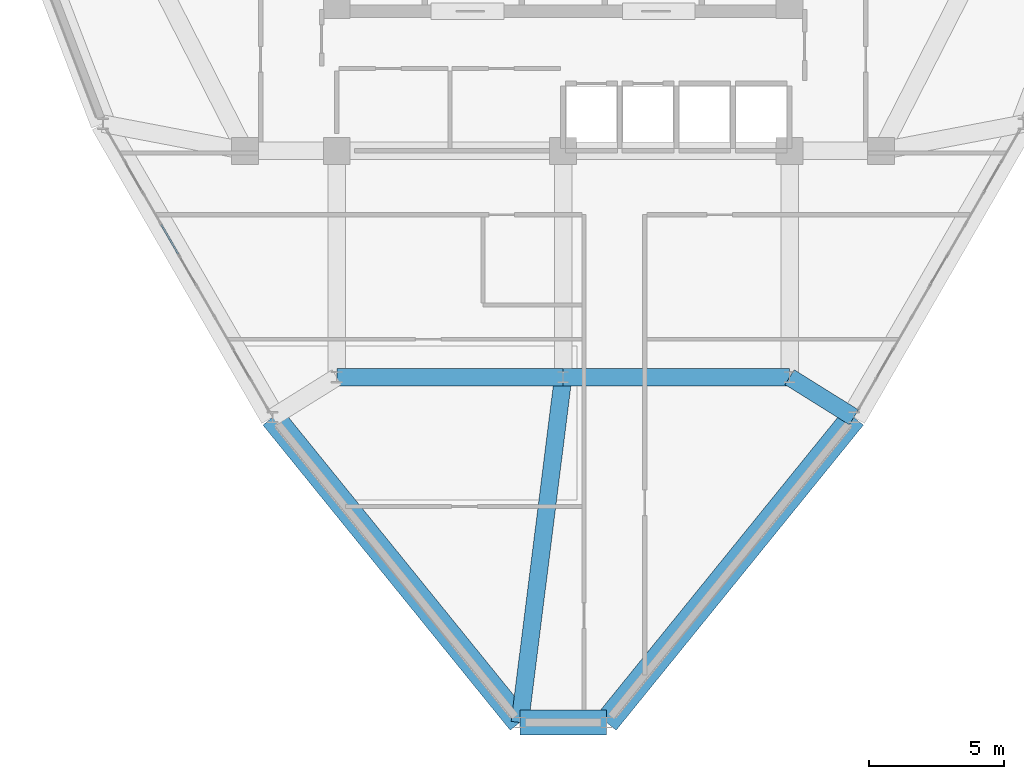
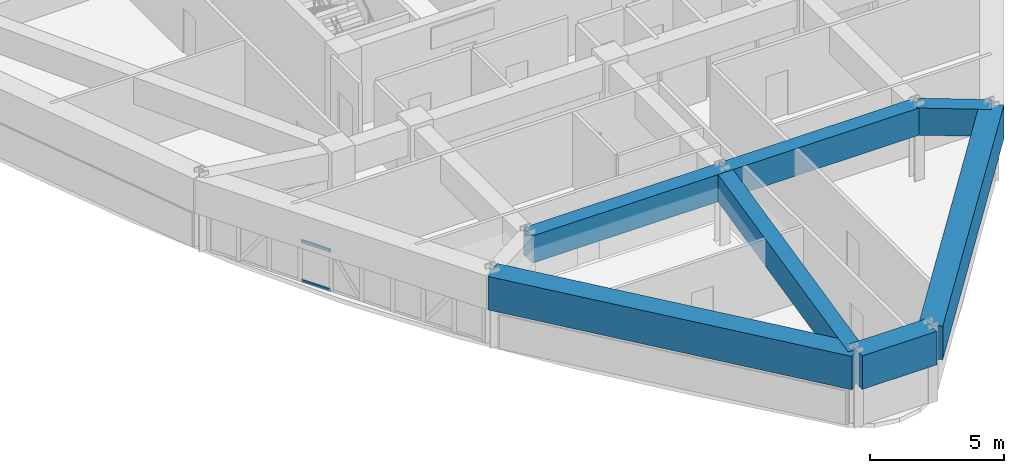
# One storey, part 3 of 13: 7 beams, 2 members, 1 element without a shape of its own.
"""IFC4 building model written with IfcOpenShell, lengths in metres."""

from ifc_helpers import new_model, si_unit, derived_unit, direction, frame, origin, origin_2d, place, context, subcontext, project, spatial, rectangle, hollow_rectangle, extrude, source, transform, mapped, material, layer, layer_set, material_profile, profile_set, type_object, element, aggregate, save


model = new_model("IFC4")

# Units and contexts
model_context = context("Model", 3, precision=1e-05, world=origin(), true_north=direction((0.0, 1.0)))
body_context = subcontext(model_context, "Body", "Model", "MODEL_VIEW")
ifc_project = project(units=[si_unit("LENGTHUNIT", "METRE"), si_unit("AREAUNIT", "SQUARE_METRE"), si_unit("VOLUMEUNIT", "CUBIC_METRE"), si_unit("PLANEANGLEUNIT", "RADIAN"), si_unit("MASSUNIT", "GRAM", prefix="KILO"), derived_unit("THERMALTRANSMITTANCEUNIT", [(si_unit("POWERUNIT", "WATT"), 1), (si_unit("LENGTHUNIT", "METRE"), -2), (si_unit("THERMODYNAMICTEMPERATUREUNIT", "KELVIN"), -1)])], contexts=[model_context])

# Site, building, storey
site_placement = place(None, origin())
site = spatial("IfcSite", under=ifc_project, at=site_placement, CompositionType="ELEMENT")
building_placement = place(site_placement, origin())
building = spatial("IfcBuilding", under=site, at=building_placement, Name="Korsvarv Bourse and Concert Hall", CompositionType="ELEMENT")
storey_placement = place(building_placement, frame((0.0, 0.0, 179.39990234375)))
storey = spatial("IfcBuildingStorey", under=building, at=storey_placement, Name="L46", CompositionType="ELEMENT", Elevation=179.39990234375)

# Beams
ifc_material_1 = material(Name="Concrete C50/60", Category="concrete")
ifc_material_profile_1 = material_profile(ifc_material_1, rectangle(XDim=0.64990234375, YDim=1.239990234375, at=origin_2d()), Name="RC-BM 650x1240")
ifc_profile_set_1 = profile_set([ifc_material_profile_1], Name="Concrete C50/60")
beam_type_1 = type_object("IfcBeamType", Name="BM-TR-SPN", PredefinedType="BEAM", material=ifc_profile_set_1)
shared_shape_1 = source(origin(), body_context, "Body", "SweptSolid", [
    extrude(rectangle(XDim=0.64990234375, YDim=1.239990234375, at=origin_2d()), origin(), (0.0, 0.0, 1.0), 8.39990234375),
])
for number, where, z_axis, x_axis, name in (
    (1, (27.60009765625, 24.0, 2.780029296875), (1.0, 0.0, 0.0), (0.0, 1.0, 0.0), "L46 beam B-TRS"),
    (2, (36.0, 24.0, 2.780029296875), (1.0, 0.0, 0.0), (0.0, 1.0, 0.0), "L46 beam B-TRS"),
):
    element("IfcBeam", number, at=place(storey_placement, frame(where, z_axis=z_axis, x_axis=x_axis)), inside=storey, type_object=beam_type_1, Name=name, PredefinedType="BEAM", context=body_context, shape_type="MappedRepresentation", body=[
        mapped(shared_shape_1, transform((0.0, 0.0, 0.0), scale=1.0)),
    ])
ifc_material_profile_2 = material_profile(ifc_material_1, rectangle(XDim=0.919921875, YDim=1.530029296875, at=origin_2d()), Name="RC-BM 920x1530")
ifc_profile_set_2 = profile_set([ifc_material_profile_2], Name="Concrete C50/60")
beam_type_2 = type_object("IfcBeamType", Name="BM-TR-154", PredefinedType="BEAM", material=ifc_profile_set_2)
shared_shape_2 = source(origin(), body_context, "Body", "SweptSolid", [
    extrude(rectangle(XDim=0.919921875, YDim=1.530029296875, at=origin_2d()), origin(), (0.0, 0.0, 1.0), 3.21533203125),
])
beam_1_placement = place(storey_placement, frame((34.392333984375, 11.189453125, 2.635009765625), z_axis=(1.0, 0.0, 0.0), x_axis=(0.0, 1.0, 0.0)))
element("IfcBeam", 3, at=beam_1_placement, inside=storey, type_object=beam_type_2, Name="L46 beam B-TR6", PredefinedType="BEAM", context=body_context, shape_type="MappedRepresentation", body=[
    mapped(shared_shape_2, transform((0.0, 0.0, 0.0), scale=1.0)),
])
shared_shape_3 = source(origin(), body_context, "Body", "SweptSolid", [
    extrude(rectangle(XDim=0.919921875, YDim=1.530029296875, at=origin_2d()), origin(), (0.0, 0.0, 1.0), 14.57373046875),
])
for number, where, z_axis, x_axis, name in (
    (4, (25.216796875, 22.51220703125, 2.635009765625), (0.629591866745, -0.776926046242, 0.0), (0.776926046242, 0.629591866745, 0.0), "L46 beam B-TR6"),
    (5, (37.607666015625, 11.189453125, 2.635009765625), (0.629591866745, 0.776926046242, 0.0), (-0.776926046242, 0.629591866745, 0.0), "L46 beam B-TR6"),
):
    element("IfcBeam", number, at=place(storey_placement, frame(where, z_axis=z_axis, x_axis=x_axis)), inside=storey, type_object=beam_type_2, Name=name, PredefinedType="BEAM", context=body_context, shape_type="MappedRepresentation", body=[
        mapped(shared_shape_3, transform((0.0, 0.0, 0.0), scale=1.0)),
    ])
shared_shape_4 = source(origin(), body_context, "Body", "SweptSolid", [
    extrude(rectangle(XDim=0.64990234375, YDim=1.239990234375, at=origin_2d()), origin(), (0.0, 0.0, 1.0), 2.8095703125),
])
beam_2_placement = place(storey_placement, frame((46.783203125, 22.51220703125, 2.780029296875), z_axis=(-0.848281328121, 0.529545832163, 0.0), x_axis=(-0.529545832163, -0.848281328121, 0.0)))
element("IfcBeam", 6, at=beam_2_placement, inside=storey, type_object=beam_type_1, Name="L46 beam B-TRS", PredefinedType="BEAM", context=body_context, shape_type="MappedRepresentation", body=[
    mapped(shared_shape_4, transform((0.0, 0.0, 0.0), scale=1.0)),
])
shared_shape_5 = source(origin(), body_context, "Body", "SweptSolid", [
    extrude(rectangle(XDim=0.64990234375, YDim=1.239990234375, at=origin_2d()), origin(), (0.0, 0.0, 1.0), 12.9111328125),
])
beam_3_placement = place(storey_placement, frame((34.392333984375, 11.189453125, 2.780029296875), z_axis=(0.124518802036, 0.992217248358, 0.0), x_axis=(-0.992217248358, 0.124518802036, 0.0)))
element("IfcBeam", 7, at=beam_3_placement, inside=storey, type_object=beam_type_1, Name="L46 beam B-TRS", PredefinedType="BEAM", context=body_context, shape_type="MappedRepresentation", body=[
    mapped(shared_shape_5, transform((0.0, 0.0, 0.0), scale=1.0)),
])

# Curtain wall, members
ifc_material_2 = material(Name="Anodised aluminium and triple low-E glazing", Category="glass")
ifc_layer = layer(ifc_material_2, 0.199951171875)
ifc_layer_set = layer_set([ifc_layer], Name="Anodised aluminium and triple low-E glazing")
curtain_wall_type = type_object("IfcCurtainWallType", Name="CW-SYS-3", PredefinedType="NOTDEFINED", material=ifc_layer_set)
curtain_wall_placement = place(storey_placement, origin())
curtain_wall = element("IfcCurtainWall", 8, at=curtain_wall_placement, inside=storey, type_object=curtain_wall_type, Name="L46 CW3 curtain wall CW-L46-F07", PredefinedType="NOTDEFINED")
ifc_material_3 = material(Name="Extruded aluminium EN AW-6063 T66", Category="aluminium")
ifc_material_profile_3 = material_profile(ifc_material_3, hollow_rectangle(XDim=0.06494140625, YDim=0.139892578125, WallThickness=0.00390625, at=origin_2d()), Name="ALU-T 65x140")
ifc_profile_set_3 = profile_set([ifc_material_profile_3], Name="Extruded aluminium EN AW-6063 T66")
member_type = type_object("IfcMemberType", Name="CWT-140", PredefinedType="USERDEFINED", material=ifc_profile_set_3)
shared_shape_6 = source(origin(), body_context, "Body", "SweptSolid", [
    extrude(hollow_rectangle(XDim=0.06494140625, YDim=0.139892578125, WallThickness=0.00390625, at=origin_2d()), origin(), (0.0, 0.0, 1.0), 1.26123046875),
])
member_1_placement = place(storey_placement, frame((21.09130859375, 29.657958984375, 0.03271484375), z_axis=(0.499990548297, -0.866030860659, 0.0), x_axis=(0.866030860659, 0.499990548297, 0.0)))
member_1 = element("IfcMember", 9, at=member_1_placement, type_object=member_type, Name="CW3 transom 4.1", ObjectType="TRANSOM", PredefinedType="USERDEFINED", context=body_context, shape_type="MappedRepresentation", body=[
    mapped(shared_shape_6, transform((0.0, 0.0, 0.0), scale=1.0)),
])
member_2_placement = place(storey_placement, frame((21.09130859375, 29.657958984375, 1.837646484375), z_axis=(0.499990548297, -0.866030860659, 0.0), x_axis=(0.866030860659, 0.499990548297, 0.0)))
member_2 = element("IfcMember", 10, at=member_2_placement, type_object=member_type, Name="CW3 transom 4.2", ObjectType="TRANSOM", PredefinedType="USERDEFINED", context=body_context, shape_type="MappedRepresentation", body=[
    mapped(shared_shape_6, transform((0.0, 0.0, 0.0), scale=1.0)),
])
aggregate(curtain_wall, [member_1, member_2])

save(model, "model.ifc")
